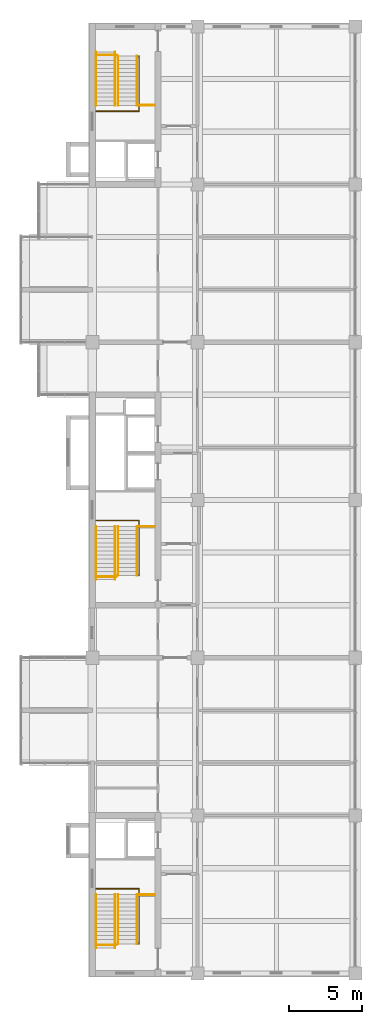
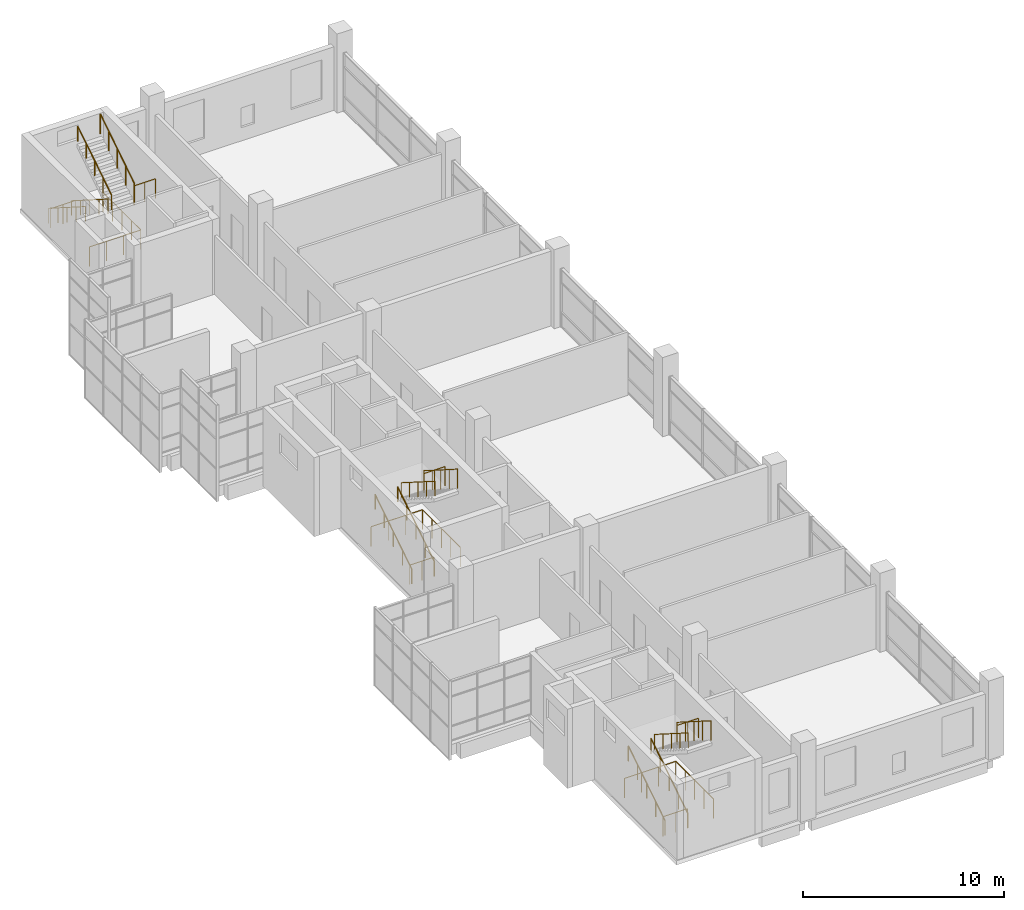
# One storey, part 15 of 15: 21 railings.
"""IFC4 building model written with IfcOpenShell, lengths in metres."""

from ifc_helpers import new_model, si_unit, direction, frame, origin, origin_2d, place, context, subcontext, project, spatial, circle, extrude, material, type_object, element, save


model = new_model("IFC4")

# Units and contexts
model_context = context("Model", 3, precision=1e-05, world=origin(), true_north=direction((0.0, 1.0)))
body_context = subcontext(model_context, "Body", "Model", "MODEL_VIEW")
ifc_project = project(units=[si_unit("LENGTHUNIT", "METRE"), si_unit("AREAUNIT", "SQUARE_METRE"), si_unit("VOLUMEUNIT", "CUBIC_METRE"), si_unit("PLANEANGLEUNIT", "RADIAN"), si_unit("MASSUNIT", "GRAM", prefix="KILO")], contexts=[model_context])

# Site, building, storey
site_placement = place(None, origin())
site = spatial("IfcSite", under=ifc_project, at=site_placement, CompositionType="ELEMENT")
building_placement = place(site_placement, origin())
building = spatial("IfcBuilding", under=site, at=building_placement, Name="Basin Gate Institute", CompositionType="ELEMENT")
storey_placement = place(building_placement, frame((0.0, 0.0, 55.800048828125)))
storey = spatial("IfcBuildingStorey", under=building, at=storey_placement, Name="L11", CompositionType="ELEMENT", Elevation=55.800048828125)

# Railings
ifc_material_1 = material(Name="Stainless steel", Category="steel")
railing_type_1 = type_object("IfcRailingType", Name="Stair guard GR2", PredefinedType="GUARDRAIL", material=ifc_material_1)
railing_1_placement = place(storey_placement, frame((64.39990234375, 37.1298828125, 0.0)))
element("IfcRailing", 1, at=railing_1_placement, inside=storey, type_object=railing_type_1, material=ifc_material_1, Name="Stair guard GR2 WS GD3-L10", PredefinedType="GUARDRAIL", context=body_context, shape_type="SweptSolid", body=[
    extrude(circle(Radius=0.02392578125, at=origin_2d()), frame((0.0, 0.0, 1.17578125), z_axis=(0.0, 1.0, 0.0), x_axis=(-1.0, 0.0, 0.0)), (0.0, 0.0, 1.0), 3.760009765625),
    extrude(circle(Radius=0.02392578125, at=origin_2d()), frame((0.0, 3.760009765625, 1.17578125), z_axis=(-1.0, 0.0, 0.0), x_axis=(0.0, -1.0, 0.0)), (0.0, 0.0, 1.0), 2.949951171875),
    extrude(circle(Radius=0.02099609375, at=origin_2d()), origin(), (0.0, 0.0, 1.0), 1.15185546875),
    extrude(circle(Radius=0.02099609375, at=origin_2d()), frame((0.0, 0.93994140625, 0.0)), (0.0, 0.0, 1.0), 1.15185546875),
    extrude(circle(Radius=0.02099609375, at=origin_2d()), frame((0.0, 1.8798828125, 0.0)), (0.0, 0.0, 1.0), 1.15185546875),
    extrude(circle(Radius=0.02099609375, at=origin_2d()), frame((0.0, 2.820068359375, 0.0)), (0.0, 0.0, 1.0), 1.15185546875),
    extrude(circle(Radius=0.02099609375, at=origin_2d()), frame((0.0, 3.760009765625, 0.0)), (0.0, 0.0, 1.0), 1.15185546875),
    extrude(circle(Radius=0.02099609375, at=origin_2d()), frame((-0.9833984375, 3.760009765625, 0.0)), (0.0, 0.0, 1.0), 1.15185546875),
    extrude(circle(Radius=0.02099609375, at=origin_2d()), frame((-1.966552734375, 3.760009765625, 0.0)), (0.0, 0.0, 1.0), 1.15185546875),
    extrude(circle(Radius=0.02099609375, at=origin_2d()), frame((-2.949951171875, 3.760009765625, 0.0)), (0.0, 0.0, 1.0), 1.15185546875),
])
railing_2_placement = place(storey_placement, frame((61.449951171875, 37.050048828125, 0.0)))
element("IfcRailing", 2, at=railing_2_placement, inside=storey, type_object=railing_type_1, material=ifc_material_1, Name="Stair guard GR2 WS GD4-L10", PredefinedType="GUARDRAIL", context=body_context, shape_type="SweptSolid", body=[
    extrude(circle(Radius=0.02392578125, at=origin_2d()), frame((0.0, 0.0, 1.17578125), z_axis=(1.0, 0.0, 0.0), x_axis=(0.0, 1.0, 0.0)), (0.0, 0.0, 1.0), 1.400146484375),
    extrude(circle(Radius=0.02099609375, at=origin_2d()), origin(), (0.0, 0.0, 1.0), 1.15185546875),
    extrude(circle(Radius=0.02099609375, at=origin_2d()), frame((0.7001953125, 0.0, 0.0)), (0.0, 0.0, 1.0), 1.15185546875),
    extrude(circle(Radius=0.02099609375, at=origin_2d()), frame((1.400146484375, 0.0, 0.0)), (0.0, 0.0, 1.0), 1.15185546875),
])
railing_3_placement = place(storey_placement, frame((64.39990234375, 62.330078125, 0.0)))
element("IfcRailing", 3, at=railing_3_placement, inside=storey, type_object=railing_type_1, material=ifc_material_1, Name="Stair guard GR2 WM GD3-L10", PredefinedType="GUARDRAIL", context=body_context, shape_type="SweptSolid", body=[
    extrude(circle(Radius=0.02392578125, at=origin_2d()), frame((0.0, 0.0, 1.17578125), z_axis=(0.0, 1.0, 0.0), x_axis=(-1.0, 0.0, 0.0)), (0.0, 0.0, 1.0), 3.760009765625),
    extrude(circle(Radius=0.02392578125, at=origin_2d()), frame((0.0, 3.760009765625, 1.17578125), z_axis=(-1.0, 0.0, 0.0), x_axis=(0.0, -1.0, 0.0)), (0.0, 0.0, 1.0), 2.949951171875),
    extrude(circle(Radius=0.02099609375, at=origin_2d()), origin(), (0.0, 0.0, 1.0), 1.15185546875),
    extrude(circle(Radius=0.02099609375, at=origin_2d()), frame((0.0, 0.93994140625, 0.0)), (0.0, 0.0, 1.0), 1.15185546875),
    extrude(circle(Radius=0.02099609375, at=origin_2d()), frame((0.0, 1.8798828125, 0.0)), (0.0, 0.0, 1.0), 1.15185546875),
    extrude(circle(Radius=0.02099609375, at=origin_2d()), frame((0.0, 2.820068359375, 0.0)), (0.0, 0.0, 1.0), 1.15185546875),
    extrude(circle(Radius=0.02099609375, at=origin_2d()), frame((0.0, 3.760009765625, 0.0)), (0.0, 0.0, 1.0), 1.15185546875),
    extrude(circle(Radius=0.02099609375, at=origin_2d()), frame((-0.9833984375, 3.760009765625, 0.0)), (0.0, 0.0, 1.0), 1.15185546875),
    extrude(circle(Radius=0.02099609375, at=origin_2d()), frame((-1.966552734375, 3.760009765625, 0.0)), (0.0, 0.0, 1.0), 1.15185546875),
    extrude(circle(Radius=0.02099609375, at=origin_2d()), frame((-2.949951171875, 3.760009765625, 0.0)), (0.0, 0.0, 1.0), 1.15185546875),
])
railing_4_placement = place(storey_placement, frame((61.449951171875, 62.25, 0.0)))
element("IfcRailing", 4, at=railing_4_placement, inside=storey, type_object=railing_type_1, material=ifc_material_1, Name="Stair guard GR2 WM GD4-L10", PredefinedType="GUARDRAIL", context=body_context, shape_type="SweptSolid", body=[
    extrude(circle(Radius=0.02392578125, at=origin_2d()), frame((0.0, 0.0, 1.17578125), z_axis=(1.0, 0.0, 0.0), x_axis=(0.0, 1.0, 0.0)), (0.0, 0.0, 1.0), 1.400146484375),
    extrude(circle(Radius=0.02099609375, at=origin_2d()), origin(), (0.0, 0.0, 1.0), 1.15185546875),
    extrude(circle(Radius=0.02099609375, at=origin_2d()), frame((0.7001953125, 0.0, 0.0)), (0.0, 0.0, 1.0), 1.15185546875),
    extrude(circle(Radius=0.02099609375, at=origin_2d()), frame((1.400146484375, 0.0, 0.0)), (0.0, 0.0, 1.0), 1.15185546875),
])
railing_5_placement = place(storey_placement, frame((64.39990234375, 97.8701171875, 0.0)))
element("IfcRailing", 5, at=railing_5_placement, inside=storey, type_object=railing_type_1, material=ifc_material_1, Name="Stair guard GR2 WN GD3-L10", PredefinedType="GUARDRAIL", context=body_context, shape_type="SweptSolid", body=[
    extrude(circle(Radius=0.02392578125, at=origin_2d()), frame((0.0, 0.0, 1.17578125), z_axis=(0.0, -1.0, 0.0), x_axis=(1.0, 0.0, 0.0)), (0.0, 0.0, 1.0), 3.760009765625),
    extrude(circle(Radius=0.02392578125, at=origin_2d()), frame((0.0, -3.760009765625, 1.17578125), z_axis=(-1.0, 0.0, 0.0), x_axis=(0.0, -1.0, 0.0)), (0.0, 0.0, 1.0), 2.949951171875),
    extrude(circle(Radius=0.02099609375, at=origin_2d()), origin(), (0.0, 0.0, 1.0), 1.15185546875),
    extrude(circle(Radius=0.02099609375, at=origin_2d()), frame((0.0, -0.93994140625, 0.0)), (0.0, 0.0, 1.0), 1.15185546875),
    extrude(circle(Radius=0.02099609375, at=origin_2d()), frame((0.0, -1.8798828125, 0.0)), (0.0, 0.0, 1.0), 1.15185546875),
    extrude(circle(Radius=0.02099609375, at=origin_2d()), frame((0.0, -2.820068359375, 0.0)), (0.0, 0.0, 1.0), 1.15185546875),
    extrude(circle(Radius=0.02099609375, at=origin_2d()), frame((0.0, -3.760009765625, 0.0)), (0.0, 0.0, 1.0), 1.15185546875),
    extrude(circle(Radius=0.02099609375, at=origin_2d()), frame((-0.9833984375, -3.760009765625, 0.0)), (0.0, 0.0, 1.0), 1.15185546875),
    extrude(circle(Radius=0.02099609375, at=origin_2d()), frame((-1.966552734375, -3.760009765625, 0.0)), (0.0, 0.0, 1.0), 1.15185546875),
    extrude(circle(Radius=0.02099609375, at=origin_2d()), frame((-2.949951171875, -3.760009765625, 0.0)), (0.0, 0.0, 1.0), 1.15185546875),
])
railing_6_placement = place(storey_placement, frame((61.449951171875, 97.949951171875, 0.0)))
element("IfcRailing", 6, at=railing_6_placement, inside=storey, type_object=railing_type_1, material=ifc_material_1, Name="Stair guard GR2 WN GD4-L10", PredefinedType="GUARDRAIL", context=body_context, shape_type="SweptSolid", body=[
    extrude(circle(Radius=0.02392578125, at=origin_2d()), frame((0.0, 0.0, 1.17578125), z_axis=(1.0, 0.0, 0.0), x_axis=(0.0, 1.0, 0.0)), (0.0, 0.0, 1.0), 1.400146484375),
    extrude(circle(Radius=0.02099609375, at=origin_2d()), origin(), (0.0, 0.0, 1.0), 1.15185546875),
    extrude(circle(Radius=0.02099609375, at=origin_2d()), frame((0.7001953125, 0.0, 0.0)), (0.0, 0.0, 1.0), 1.15185546875),
    extrude(circle(Radius=0.02099609375, at=origin_2d()), frame((1.400146484375, 0.0, 0.0)), (0.0, 0.0, 1.0), 1.15185546875),
])
railing_7_placement = place(storey_placement, frame((64.25, 40.489990234375, 2.66650390625)))
element("IfcRailing", 7, at=railing_7_placement, inside=storey, type_object=railing_type_1, material=ifc_material_1, Name="Stair guard GR2 WS GD1", PredefinedType="GUARDRAIL", context=body_context, shape_type="SweptSolid", body=[
    extrude(circle(Radius=0.02392578125, at=origin_2d()), frame((0.0, 0.0, 1.17578125), z_axis=(0.0, -0.844196513831, 0.536033810533), x_axis=(1.0, 0.0, 0.0)), (0.0, 0.0, 1.0), 3.980224609375),
    extrude(circle(Radius=0.02099609375, at=origin_2d()), origin(), (0.0, 0.0, 1.0), 1.15185546875),
    extrude(circle(Radius=0.02099609375, at=origin_2d()), frame((0.0, -0.840087890625, 0.533447265625)), (0.0, 0.0, 1.0), 1.15185546875),
    extrude(circle(Radius=0.02099609375, at=origin_2d()), frame((0.0, -1.68017578125, 1.06689453125)), (0.0, 0.0, 1.0), 1.15185546875),
    extrude(circle(Radius=0.02099609375, at=origin_2d()), frame((0.0, -2.52001953125, 1.60009765625)), (0.0, 0.0, 1.0), 1.15185546875),
    extrude(circle(Radius=0.02099609375, at=origin_2d()), frame((0.0, -3.360107421875, 2.133544921875)), (0.0, 0.0, 1.0), 1.15185546875),
])
railing_8_placement = place(storey_placement, frame((64.25, 40.489990234375, 2.48876953125)))
element("IfcRailing", 8, at=railing_8_placement, inside=storey, type_object=railing_type_1, material=ifc_material_1, Name="Stair guard GR2 WS GD2", PredefinedType="GUARDRAIL", context=body_context, shape_type="SweptSolid", body=[
    extrude(circle(Radius=0.02392578125, at=origin_2d()), frame((0.0, 0.0, 1.17578125), z_axis=(1.0, 0.0, 0.0), x_axis=(0.0, 1.0, 0.0)), (0.0, 0.0, 1.0), 1.219970703125),
    extrude(circle(Radius=0.02099609375, at=origin_2d()), origin(), (0.0, 0.0, 1.0), 1.15185546875),
    extrude(circle(Radius=0.02099609375, at=origin_2d()), frame((0.60986328125, 0.0, 0.0)), (0.0, 0.0, 1.0), 1.15185546875),
    extrude(circle(Radius=0.02099609375, at=origin_2d()), frame((1.219970703125, 0.0, 0.0)), (0.0, 0.0, 1.0), 1.15185546875),
])
railing_9_placement = place(storey_placement, frame((64.25, 65.68994140625, 2.66650390625)))
element("IfcRailing", 9, at=railing_9_placement, inside=storey, type_object=railing_type_1, material=ifc_material_1, Name="Stair guard GR2 WM GD1", PredefinedType="GUARDRAIL", context=body_context, shape_type="SweptSolid", body=[
    extrude(circle(Radius=0.02392578125, at=origin_2d()), frame((0.0, 0.0, 1.17578125), z_axis=(0.0, -0.844178888043, 0.536061568276), x_axis=(1.0, 0.0, 0.0)), (0.0, 0.0, 1.0), 3.97998046875),
    extrude(circle(Radius=0.02099609375, at=origin_2d()), origin(), (0.0, 0.0, 1.0), 1.15185546875),
    extrude(circle(Radius=0.02099609375, at=origin_2d()), frame((0.0, -0.83984375, 0.533447265625)), (0.0, 0.0, 1.0), 1.15185546875),
    extrude(circle(Radius=0.02099609375, at=origin_2d()), frame((0.0, -1.679931640625, 1.06689453125)), (0.0, 0.0, 1.0), 1.15185546875),
    extrude(circle(Radius=0.02099609375, at=origin_2d()), frame((0.0, -2.52001953125, 1.60009765625)), (0.0, 0.0, 1.0), 1.15185546875),
    extrude(circle(Radius=0.02099609375, at=origin_2d()), frame((0.0, -3.35986328125, 2.133544921875)), (0.0, 0.0, 1.0), 1.15185546875),
])
railing_10_placement = place(storey_placement, frame((64.25, 65.68994140625, 2.48876953125)))
element("IfcRailing", 10, at=railing_10_placement, inside=storey, type_object=railing_type_1, material=ifc_material_1, Name="Stair guard GR2 WM GD2", PredefinedType="GUARDRAIL", context=body_context, shape_type="SweptSolid", body=[
    extrude(circle(Radius=0.02392578125, at=origin_2d()), frame((0.0, 0.0, 1.17578125), z_axis=(1.0, 0.0, 0.0), x_axis=(0.0, 1.0, 0.0)), (0.0, 0.0, 1.0), 1.219970703125),
    extrude(circle(Radius=0.02099609375, at=origin_2d()), origin(), (0.0, 0.0, 1.0), 1.15185546875),
    extrude(circle(Radius=0.02099609375, at=origin_2d()), frame((0.60986328125, 0.0, 0.0)), (0.0, 0.0, 1.0), 1.15185546875),
    extrude(circle(Radius=0.02099609375, at=origin_2d()), frame((1.219970703125, 0.0, 0.0)), (0.0, 0.0, 1.0), 1.15185546875),
])
railing_11_placement = place(storey_placement, frame((64.25, 94.510009765625, 2.66650390625)))
element("IfcRailing", 11, at=railing_11_placement, inside=storey, type_object=railing_type_1, material=ifc_material_1, Name="Stair guard GR2 WN GD1", PredefinedType="GUARDRAIL", context=body_context, shape_type="SweptSolid", body=[
    extrude(circle(Radius=0.02392578125, at=origin_2d()), frame((0.0, 0.0, 1.17578125), z_axis=(0.0, 0.844196513831, 0.536033810533), x_axis=(-1.0, 0.0, 0.0)), (0.0, 0.0, 1.0), 3.980224609375),
    extrude(circle(Radius=0.02099609375, at=origin_2d()), origin(), (0.0, 0.0, 1.0), 1.15185546875),
    extrude(circle(Radius=0.02099609375, at=origin_2d()), frame((0.0, 0.840087890625, 0.533447265625)), (0.0, 0.0, 1.0), 1.15185546875),
    extrude(circle(Radius=0.02099609375, at=origin_2d()), frame((0.0, 1.68017578125, 1.06689453125)), (0.0, 0.0, 1.0), 1.15185546875),
    extrude(circle(Radius=0.02099609375, at=origin_2d()), frame((0.0, 2.52001953125, 1.60009765625)), (0.0, 0.0, 1.0), 1.15185546875),
    extrude(circle(Radius=0.02099609375, at=origin_2d()), frame((0.0, 3.360107421875, 2.133544921875)), (0.0, 0.0, 1.0), 1.15185546875),
])
railing_12_placement = place(storey_placement, frame((64.25, 94.510009765625, 2.48876953125)))
element("IfcRailing", 12, at=railing_12_placement, inside=storey, type_object=railing_type_1, material=ifc_material_1, Name="Stair guard GR2 WN GD2", PredefinedType="GUARDRAIL", context=body_context, shape_type="SweptSolid", body=[
    extrude(circle(Radius=0.02392578125, at=origin_2d()), frame((0.0, 0.0, 1.17578125), z_axis=(1.0, 0.0, 0.0), x_axis=(0.0, 1.0, 0.0)), (0.0, 0.0, 1.0), 1.219970703125),
    extrude(circle(Radius=0.02099609375, at=origin_2d()), origin(), (0.0, 0.0, 1.0), 1.15185546875),
    extrude(circle(Radius=0.02099609375, at=origin_2d()), frame((0.60986328125, 0.0, 0.0)), (0.0, 0.0, 1.0), 1.15185546875),
    extrude(circle(Radius=0.02099609375, at=origin_2d()), frame((1.219970703125, 0.0, 0.0)), (0.0, 0.0, 1.0), 1.15185546875),
])
ifc_material_2 = material(Name="Stainless steel", Category="steel")
railing_type_2 = type_object("IfcRailingType", Name="Stair handrail HR1", PredefinedType="HANDRAIL", material=ifc_material_2)
for number, where, name in (
    (13, (61.449951171875, 36.85009765625, 0.177734375), "Stair handrail HR1 WS HR1"),
    (14, (62.75, 36.85009765625, 0.177734375), "Stair handrail HR1 WS HR2"),
):
    element("IfcRailing", number, at=place(storey_placement, frame(where)), inside=storey, type_object=railing_type_2, material=ifc_material_2, Name=name, PredefinedType="HANDRAIL", context=body_context, shape_type="SweptSolid", body=[
        extrude(circle(Radius=0.02392578125, at=origin_2d()), frame((0.0, 0.0, 0.89599609375), z_axis=(0.0, 0.84421362867, 0.536006855523), x_axis=(-1.0, 0.0, 0.0)), (0.0, 0.0, 1.0), 4.3115234375),
        extrude(circle(Radius=0.02099609375, at=origin_2d()), origin(), (0.0, 0.0, 1.0), 0.871826171875),
        extrude(circle(Radius=0.02099609375, at=origin_2d()), frame((0.0, 0.909912109375, 0.57763671875)), (0.0, 0.0, 1.0), 0.871826171875),
        extrude(circle(Radius=0.02099609375, at=origin_2d()), frame((0.0, 1.81982421875, 1.155517578125)), (0.0, 0.0, 1.0), 0.871826171875),
        extrude(circle(Radius=0.02099609375, at=origin_2d()), frame((0.0, 2.72998046875, 1.7333984375)), (0.0, 0.0, 1.0), 0.871826171875),
        extrude(circle(Radius=0.02099609375, at=origin_2d()), frame((0.0, 3.639892578125, 2.31103515625)), (0.0, 0.0, 1.0), 0.871826171875),
    ])
railing_13_placement = place(storey_placement, frame((62.949951171875, 40.489990234375, 2.66650390625)))
element("IfcRailing", 15, at=railing_13_placement, inside=storey, type_object=railing_type_2, material=ifc_material_2, Name="Stair handrail HR1 WS HR3", PredefinedType="HANDRAIL", context=body_context, shape_type="SweptSolid", body=[
    extrude(circle(Radius=0.02392578125, at=origin_2d()), frame((0.0, 0.0, 0.89599609375), z_axis=(0.0, -0.844196513831, 0.536033810533), x_axis=(1.0, 0.0, 0.0)), (0.0, 0.0, 1.0), 3.980224609375),
    extrude(circle(Radius=0.02099609375, at=origin_2d()), origin(), (0.0, 0.0, 1.0), 0.871826171875),
    extrude(circle(Radius=0.02099609375, at=origin_2d()), frame((0.0, -0.840087890625, 0.533447265625)), (0.0, 0.0, 1.0), 0.871826171875),
    extrude(circle(Radius=0.02099609375, at=origin_2d()), frame((0.0, -1.68017578125, 1.06689453125)), (0.0, 0.0, 1.0), 0.871826171875),
    extrude(circle(Radius=0.02099609375, at=origin_2d()), frame((0.0, -2.52001953125, 1.60009765625)), (0.0, 0.0, 1.0), 0.871826171875),
    extrude(circle(Radius=0.02099609375, at=origin_2d()), frame((0.0, -3.360107421875, 2.133544921875)), (0.0, 0.0, 1.0), 0.871826171875),
])
for number, where, name in (
    (16, (61.449951171875, 62.050048828125, 0.177734375), "Stair handrail HR1 WM HR1"),
    (17, (62.75, 62.050048828125, 0.177734375), "Stair handrail HR1 WM HR2"),
):
    element("IfcRailing", number, at=place(storey_placement, frame(where)), inside=storey, type_object=railing_type_2, material=ifc_material_2, Name=name, PredefinedType="HANDRAIL", context=body_context, shape_type="SweptSolid", body=[
        extrude(circle(Radius=0.02392578125, at=origin_2d()), frame((0.0, 0.0, 0.89599609375), z_axis=(0.0, 0.84421362867, 0.536006855523), x_axis=(-1.0, 0.0, 0.0)), (0.0, 0.0, 1.0), 4.3115234375),
        extrude(circle(Radius=0.02099609375, at=origin_2d()), origin(), (0.0, 0.0, 1.0), 0.871826171875),
        extrude(circle(Radius=0.02099609375, at=origin_2d()), frame((0.0, 0.909912109375, 0.57763671875)), (0.0, 0.0, 1.0), 0.871826171875),
        extrude(circle(Radius=0.02099609375, at=origin_2d()), frame((0.0, 1.81982421875, 1.155517578125)), (0.0, 0.0, 1.0), 0.871826171875),
        extrude(circle(Radius=0.02099609375, at=origin_2d()), frame((0.0, 2.72998046875, 1.7333984375)), (0.0, 0.0, 1.0), 0.871826171875),
        extrude(circle(Radius=0.02099609375, at=origin_2d()), frame((0.0, 3.639892578125, 2.31103515625)), (0.0, 0.0, 1.0), 0.871826171875),
    ])
railing_14_placement = place(storey_placement, frame((62.949951171875, 65.68994140625, 2.66650390625)))
element("IfcRailing", 18, at=railing_14_placement, inside=storey, type_object=railing_type_2, material=ifc_material_2, Name="Stair handrail HR1 WM HR3", PredefinedType="HANDRAIL", context=body_context, shape_type="SweptSolid", body=[
    extrude(circle(Radius=0.02392578125, at=origin_2d()), frame((0.0, 0.0, 0.89599609375), z_axis=(0.0, -0.844178888043, 0.536061568276), x_axis=(1.0, 0.0, 0.0)), (0.0, 0.0, 1.0), 3.97998046875),
    extrude(circle(Radius=0.02099609375, at=origin_2d()), origin(), (0.0, 0.0, 1.0), 0.871826171875),
    extrude(circle(Radius=0.02099609375, at=origin_2d()), frame((0.0, -0.83984375, 0.533447265625)), (0.0, 0.0, 1.0), 0.871826171875),
    extrude(circle(Radius=0.02099609375, at=origin_2d()), frame((0.0, -1.679931640625, 1.06689453125)), (0.0, 0.0, 1.0), 0.871826171875),
    extrude(circle(Radius=0.02099609375, at=origin_2d()), frame((0.0, -2.52001953125, 1.60009765625)), (0.0, 0.0, 1.0), 0.871826171875),
    extrude(circle(Radius=0.02099609375, at=origin_2d()), frame((0.0, -3.35986328125, 2.133544921875)), (0.0, 0.0, 1.0), 0.871826171875),
])
for number, where, name in (
    (19, (61.449951171875, 98.14990234375, 0.177734375), "Stair handrail HR1 WN HR1"),
    (20, (62.75, 98.14990234375, 0.177734375), "Stair handrail HR1 WN HR2"),
):
    element("IfcRailing", number, at=place(storey_placement, frame(where)), inside=storey, type_object=railing_type_2, material=ifc_material_2, Name=name, PredefinedType="HANDRAIL", context=body_context, shape_type="SweptSolid", body=[
        extrude(circle(Radius=0.02392578125, at=origin_2d()), frame((0.0, 0.0, 0.89599609375), z_axis=(0.0, -0.84421362867, 0.536006855523), x_axis=(1.0, 0.0, 0.0)), (0.0, 0.0, 1.0), 4.3115234375),
        extrude(circle(Radius=0.02099609375, at=origin_2d()), origin(), (0.0, 0.0, 1.0), 0.871826171875),
        extrude(circle(Radius=0.02099609375, at=origin_2d()), frame((0.0, -0.909912109375, 0.57763671875)), (0.0, 0.0, 1.0), 0.871826171875),
        extrude(circle(Radius=0.02099609375, at=origin_2d()), frame((0.0, -1.81982421875, 1.155517578125)), (0.0, 0.0, 1.0), 0.871826171875),
        extrude(circle(Radius=0.02099609375, at=origin_2d()), frame((0.0, -2.72998046875, 1.7333984375)), (0.0, 0.0, 1.0), 0.871826171875),
        extrude(circle(Radius=0.02099609375, at=origin_2d()), frame((0.0, -3.639892578125, 2.31103515625)), (0.0, 0.0, 1.0), 0.871826171875),
    ])
railing_15_placement = place(storey_placement, frame((62.949951171875, 94.510009765625, 2.66650390625)))
element("IfcRailing", 21, at=railing_15_placement, inside=storey, type_object=railing_type_2, material=ifc_material_2, Name="Stair handrail HR1 WN HR3", PredefinedType="HANDRAIL", context=body_context, shape_type="SweptSolid", body=[
    extrude(circle(Radius=0.02392578125, at=origin_2d()), frame((0.0, 0.0, 0.89599609375), z_axis=(0.0, 0.844196513831, 0.536033810533), x_axis=(-1.0, 0.0, 0.0)), (0.0, 0.0, 1.0), 3.980224609375),
    extrude(circle(Radius=0.02099609375, at=origin_2d()), origin(), (0.0, 0.0, 1.0), 0.871826171875),
    extrude(circle(Radius=0.02099609375, at=origin_2d()), frame((0.0, 0.840087890625, 0.533447265625)), (0.0, 0.0, 1.0), 0.871826171875),
    extrude(circle(Radius=0.02099609375, at=origin_2d()), frame((0.0, 1.68017578125, 1.06689453125)), (0.0, 0.0, 1.0), 0.871826171875),
    extrude(circle(Radius=0.02099609375, at=origin_2d()), frame((0.0, 2.52001953125, 1.60009765625)), (0.0, 0.0, 1.0), 0.871826171875),
    extrude(circle(Radius=0.02099609375, at=origin_2d()), frame((0.0, 3.360107421875, 2.133544921875)), (0.0, 0.0, 1.0), 0.871826171875),
])

save(model, "model.ifc")
